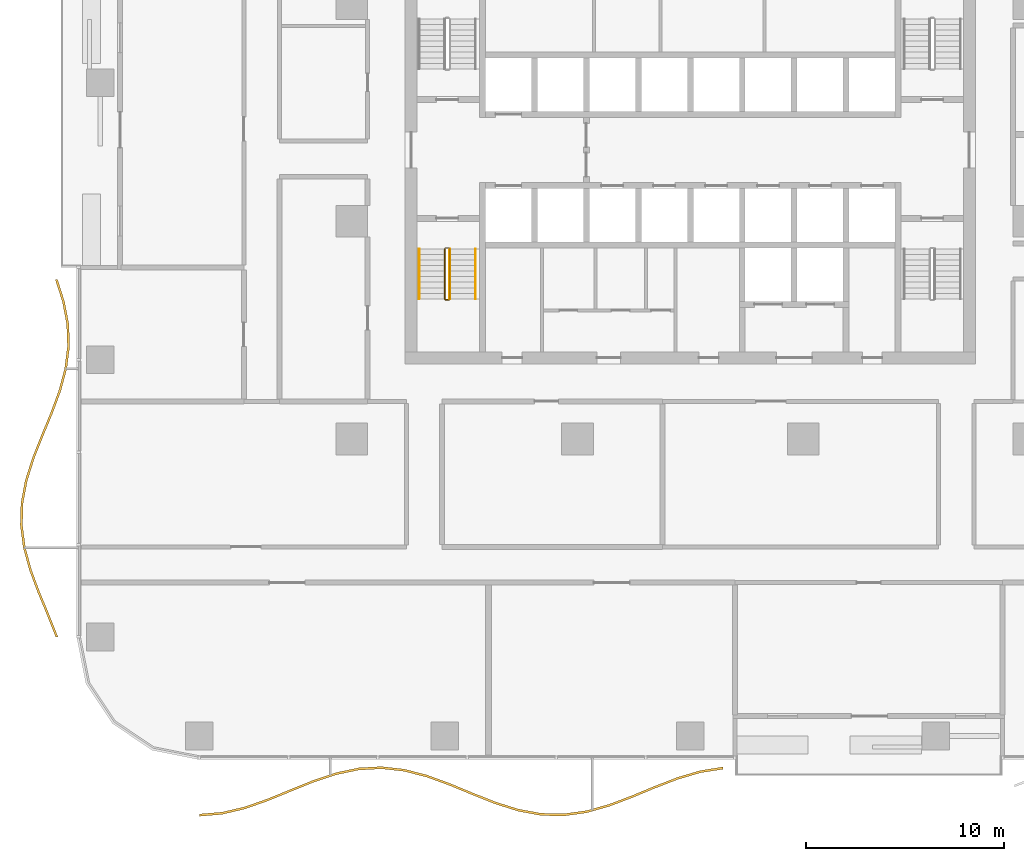
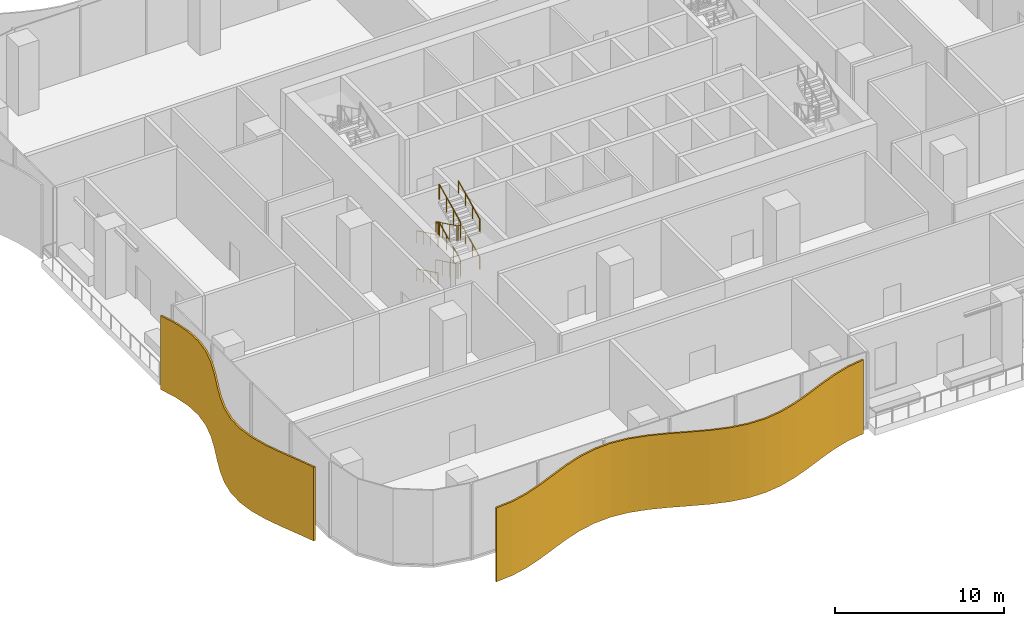
# One storey, part 14 of 20: 8 railings, 2 shading devices.
"""IFC4 building model written with IfcOpenShell, lengths in metres."""

from ifc_helpers import new_model, si_unit, direction, frame, origin, origin_2d, place, context, subcontext, project, spatial, polyline, circle, outline, extrude, material, layer, layer_set, type_object, element, save


model = new_model("IFC4")

# Units and contexts
model_context = context("Model", 3, precision=1e-05, world=origin(), true_north=direction((0.0, 1.0)))
body_context = subcontext(model_context, "Body", "Model", "MODEL_VIEW")
ifc_project = project(units=[si_unit("LENGTHUNIT", "METRE"), si_unit("AREAUNIT", "SQUARE_METRE"), si_unit("VOLUMEUNIT", "CUBIC_METRE"), si_unit("PLANEANGLEUNIT", "RADIAN"), si_unit("MASSUNIT", "GRAM", prefix="KILO")], contexts=[model_context])

# Site, building, storey
site_placement = place(None, origin())
site = spatial("IfcSite", under=ifc_project, at=site_placement, CompositionType="ELEMENT")
building_placement = place(site_placement, origin())
building = spatial("IfcBuilding", under=site, at=building_placement, Name="Mopane Tessera Tower", CompositionType="ELEMENT")
storey_placement = place(building_placement, frame((0.0, 0.0, 14.5)))
storey = spatial("IfcBuildingStorey", under=building, at=storey_placement, Name="L02", CompositionType="ELEMENT", Elevation=14.5)

# Railings
ifc_material_1 = material(Name="Powder-coated steel balustrade", Category="steel")
railing_type_1 = type_object("IfcRailingType", Name="Escape stair guard 1100 mm", PredefinedType="GUARDRAIL", material=ifc_material_1)
railing_1_placement = place(storey_placement, frame((-12.39990234375, -1.39990234375, 0.137451171875)))
element("IfcRailing", 1, at=railing_1_placement, inside=storey, type_object=railing_type_1, Name="L02 ST1 stair guard 1", PredefinedType="GUARDRAIL", context=body_context, shape_type="SweptSolid", body=[
    extrude(circle(Radius=0.02392578125, at=origin_2d()), frame((0.0, 0.0, 1.076171875), z_axis=(0.0, -0.897604431175, 0.440801866075), x_axis=(1.0, 0.0, 0.0)), (0.0, 0.0, 1.0), 2.807373046875),
    extrude(circle(Radius=0.02392578125, at=origin_2d()), frame((0.0, -2.52001953125, 2.3134765625), z_axis=(0.705375805398, -0.708833529934, 0.0), x_axis=(0.708833529934, 0.705375805398, 0.0)), (0.0, 0.0, 1.0), 0.070556640625),
    extrude(circle(Radius=0.02392578125, at=origin_2d()), frame((0.0498046875, -2.570068359375, 2.3134765625), z_axis=(1.0, 0.0, 0.0), x_axis=(0.0, 1.0, 0.0)), (0.0, 0.0, 1.0), 0.150146484375),
    extrude(circle(Radius=0.02099609375, at=origin_2d()), origin(), (0.0, 0.0, 1.0), 1.052001953125),
    extrude(circle(Radius=0.02099609375, at=origin_2d()), frame((0.0, -0.840087890625, 0.41259765625)), (0.0, 0.0, 1.0), 1.052001953125),
    extrude(circle(Radius=0.02099609375, at=origin_2d()), frame((0.0, -1.679931640625, 0.824951171875)), (0.0, 0.0, 1.0), 1.052001953125),
    extrude(circle(Radius=0.02099609375, at=origin_2d()), frame((0.0, -2.52001953125, 1.237548828125)), (0.0, 0.0, 1.0), 1.052001953125),
    extrude(circle(Radius=0.02099609375, at=origin_2d()), frame((0.0498046875, -2.570068359375, 1.237548828125)), (0.0, 0.0, 1.0), 1.052001953125),
    extrude(circle(Radius=0.02099609375, at=origin_2d()), frame((0.199951171875, -2.570068359375, 1.237548828125)), (0.0, 0.0, 1.0), 1.052001953125),
])
railing_2_placement = place(storey_placement, frame((-12.14990234375, -3.919921875, 1.512451171875)))
element("IfcRailing", 2, at=railing_2_placement, inside=storey, type_object=railing_type_1, Name="L02 ST1 stair guard 2", PredefinedType="GUARDRAIL", context=body_context, shape_type="SweptSolid", body=[
    extrude(circle(Radius=0.02392578125, at=origin_2d()), frame((0.0, 0.0, 1.076171875), z_axis=(0.0, 0.897604431175, 0.440801866075), x_axis=(-1.0, 0.0, 0.0)), (0.0, 0.0, 1.0), 2.807373046875),
    extrude(circle(Radius=0.02392578125, at=origin_2d()), frame((0.0, 2.52001953125, 2.3134765625), z_axis=(-0.708833529934, 0.705375805398, 0.0), x_axis=(-0.705375805398, -0.708833529934, 0.0)), (0.0, 0.0, 1.0), 0.070556640625),
    extrude(circle(Radius=0.02392578125, at=origin_2d()), frame((-0.050048828125, 2.56982421875, 2.3134765625), z_axis=(-1.0, 0.0, 0.0), x_axis=(0.0, -1.0, 0.0)), (0.0, 0.0, 1.0), 0.150146484375),
    extrude(circle(Radius=0.02099609375, at=origin_2d()), origin(), (0.0, 0.0, 1.0), 1.052001953125),
    extrude(circle(Radius=0.02099609375, at=origin_2d()), frame((0.0, 0.840087890625, 0.41259765625)), (0.0, 0.0, 1.0), 1.052001953125),
    extrude(circle(Radius=0.02099609375, at=origin_2d()), frame((0.0, 1.679931640625, 0.824951171875)), (0.0, 0.0, 1.0), 1.052001953125),
    extrude(circle(Radius=0.02099609375, at=origin_2d()), frame((0.0, 2.52001953125, 1.237548828125)), (0.0, 0.0, 1.0), 1.052001953125),
    extrude(circle(Radius=0.02099609375, at=origin_2d()), frame((-0.050048828125, 2.56982421875, 1.237548828125)), (0.0, 0.0, 1.0), 1.052001953125),
    extrude(circle(Radius=0.02099609375, at=origin_2d()), frame((-0.2001953125, 2.56982421875, 1.237548828125)), (0.0, 0.0, 1.0), 1.052001953125),
])
railing_3_placement = place(storey_placement, frame((-12.39990234375, -1.39990234375, 2.887451171875)))
element("IfcRailing", 3, at=railing_3_placement, inside=storey, type_object=railing_type_1, Name="L02 ST1 stair guard 3", PredefinedType="GUARDRAIL", context=body_context, shape_type="SweptSolid", body=[
    extrude(circle(Radius=0.02392578125, at=origin_2d()), frame((0.0, 0.0, 1.076171875), z_axis=(0.0, -0.897604431175, 0.440801866075), x_axis=(1.0, 0.0, 0.0)), (0.0, 0.0, 1.0), 2.807373046875),
    extrude(circle(Radius=0.02392578125, at=origin_2d()), frame((0.0, -2.52001953125, 2.3134765625), z_axis=(0.705375805398, -0.708833529934, 0.0), x_axis=(0.708833529934, 0.705375805398, 0.0)), (0.0, 0.0, 1.0), 0.070556640625),
    extrude(circle(Radius=0.02392578125, at=origin_2d()), frame((0.0498046875, -2.570068359375, 2.3134765625), z_axis=(1.0, 0.0, 0.0), x_axis=(0.0, 1.0, 0.0)), (0.0, 0.0, 1.0), 0.150146484375),
    extrude(circle(Radius=0.02099609375, at=origin_2d()), origin(), (0.0, 0.0, 1.0), 1.052001953125),
    extrude(circle(Radius=0.02099609375, at=origin_2d()), frame((0.0, -0.840087890625, 0.41259765625)), (0.0, 0.0, 1.0), 1.052001953125),
    extrude(circle(Radius=0.02099609375, at=origin_2d()), frame((0.0, -1.679931640625, 0.824951171875)), (0.0, 0.0, 1.0), 1.052001953125),
    extrude(circle(Radius=0.02099609375, at=origin_2d()), frame((0.0, -2.52001953125, 1.237548828125)), (0.0, 0.0, 1.0), 1.052001953125),
    extrude(circle(Radius=0.02099609375, at=origin_2d()), frame((0.0498046875, -2.570068359375, 1.237548828125)), (0.0, 0.0, 1.0), 1.052001953125),
    extrude(circle(Radius=0.02099609375, at=origin_2d()), frame((0.199951171875, -2.570068359375, 1.237548828125)), (0.0, 0.0, 1.0), 1.052001953125),
])
railing_4_placement = place(storey_placement, frame((-12.14990234375, -3.919921875, 4.262451171875)))
element("IfcRailing", 4, at=railing_4_placement, inside=storey, type_object=railing_type_1, Name="L02 ST1 stair guard 4", PredefinedType="GUARDRAIL", context=body_context, shape_type="SweptSolid", body=[
    extrude(circle(Radius=0.02392578125, at=origin_2d()), frame((0.0, 0.0, 1.076171875), z_axis=(0.0, 0.897604431175, 0.440801866075), x_axis=(-1.0, 0.0, 0.0)), (0.0, 0.0, 1.0), 2.807373046875),
    extrude(circle(Radius=0.02099609375, at=origin_2d()), origin(), (0.0, 0.0, 1.0), 1.052001953125),
    extrude(circle(Radius=0.02099609375, at=origin_2d()), frame((0.0, 0.840087890625, 0.41259765625)), (0.0, 0.0, 1.0), 1.052001953125),
    extrude(circle(Radius=0.02099609375, at=origin_2d()), frame((0.0, 1.679931640625, 0.824951171875)), (0.0, 0.0, 1.0), 1.052001953125),
    extrude(circle(Radius=0.02099609375, at=origin_2d()), frame((0.0, 2.52001953125, 1.237548828125)), (0.0, 0.0, 1.0), 1.052001953125),
])
ifc_material_2 = material(Name="Powder-coated steel balustrade", Category="steel")
railing_type_2 = type_object("IfcRailingType", Name="Escape stair handrail 900 mm", PredefinedType="HANDRAIL", material=ifc_material_2)
railing_5_placement = place(storey_placement, frame((-13.699951171875, -1.39990234375, 0.137451171875)))
element("IfcRailing", 5, at=railing_5_placement, inside=storey, type_object=railing_type_2, Name="L02 ST1 stair handrail 1", PredefinedType="HANDRAIL", context=body_context, shape_type="SweptSolid", body=[
    extrude(circle(Radius=0.02392578125, at=origin_2d()), frame((0.0, 0.0, 0.8759765625), z_axis=(0.0, -0.897604431175, 0.440801866075), x_axis=(1.0, 0.0, 0.0)), (0.0, 0.0, 1.0), 2.807373046875),
    extrude(circle(Radius=0.02099609375, at=origin_2d()), origin(), (0.0, 0.0, 1.0), 0.851806640625),
    extrude(circle(Radius=0.02099609375, at=origin_2d()), frame((0.0, -0.840087890625, 0.41259765625)), (0.0, 0.0, 1.0), 0.851806640625),
    extrude(circle(Radius=0.02099609375, at=origin_2d()), frame((0.0, -1.679931640625, 0.824951171875)), (0.0, 0.0, 1.0), 0.851806640625),
    extrude(circle(Radius=0.02099609375, at=origin_2d()), frame((0.0, -2.52001953125, 1.237548828125)), (0.0, 0.0, 1.0), 0.851806640625),
])
railing_6_placement = place(storey_placement, frame((-10.85009765625, -3.919921875, 1.512451171875)))
element("IfcRailing", 6, at=railing_6_placement, inside=storey, type_object=railing_type_2, Name="L02 ST1 stair handrail 2", PredefinedType="HANDRAIL", context=body_context, shape_type="SweptSolid", body=[
    extrude(circle(Radius=0.02392578125, at=origin_2d()), frame((0.0, 0.0, 0.8759765625), z_axis=(0.0, 0.897604431175, 0.440801866075), x_axis=(-1.0, 0.0, 0.0)), (0.0, 0.0, 1.0), 2.807373046875),
    extrude(circle(Radius=0.02099609375, at=origin_2d()), origin(), (0.0, 0.0, 1.0), 0.851806640625),
    extrude(circle(Radius=0.02099609375, at=origin_2d()), frame((0.0, 0.840087890625, 0.41259765625)), (0.0, 0.0, 1.0), 0.851806640625),
    extrude(circle(Radius=0.02099609375, at=origin_2d()), frame((0.0, 1.679931640625, 0.824951171875)), (0.0, 0.0, 1.0), 0.851806640625),
    extrude(circle(Radius=0.02099609375, at=origin_2d()), frame((0.0, 2.52001953125, 1.237548828125)), (0.0, 0.0, 1.0), 0.851806640625),
])
railing_7_placement = place(storey_placement, frame((-13.699951171875, -1.39990234375, 2.887451171875)))
element("IfcRailing", 7, at=railing_7_placement, inside=storey, type_object=railing_type_2, Name="L02 ST1 stair handrail 3", PredefinedType="HANDRAIL", context=body_context, shape_type="SweptSolid", body=[
    extrude(circle(Radius=0.02392578125, at=origin_2d()), frame((0.0, 0.0, 0.8759765625), z_axis=(0.0, -0.897604431175, 0.440801866075), x_axis=(1.0, 0.0, 0.0)), (0.0, 0.0, 1.0), 2.807373046875),
    extrude(circle(Radius=0.02099609375, at=origin_2d()), origin(), (0.0, 0.0, 1.0), 0.851806640625),
    extrude(circle(Radius=0.02099609375, at=origin_2d()), frame((0.0, -0.840087890625, 0.41259765625)), (0.0, 0.0, 1.0), 0.851806640625),
    extrude(circle(Radius=0.02099609375, at=origin_2d()), frame((0.0, -1.679931640625, 0.824951171875)), (0.0, 0.0, 1.0), 0.851806640625),
    extrude(circle(Radius=0.02099609375, at=origin_2d()), frame((0.0, -2.52001953125, 1.237548828125)), (0.0, 0.0, 1.0), 0.851806640625),
])
railing_8_placement = place(storey_placement, frame((-10.85009765625, -3.919921875, 4.262451171875)))
element("IfcRailing", 8, at=railing_8_placement, inside=storey, type_object=railing_type_2, Name="L02 ST1 stair handrail 4", PredefinedType="HANDRAIL", context=body_context, shape_type="SweptSolid", body=[
    extrude(circle(Radius=0.02392578125, at=origin_2d()), frame((0.0, 0.0, 0.8759765625), z_axis=(0.0, 0.897604431175, 0.440801866075), x_axis=(-1.0, 0.0, 0.0)), (0.0, 0.0, 1.0), 2.807373046875),
    extrude(circle(Radius=0.02099609375, at=origin_2d()), origin(), (0.0, 0.0, 1.0), 0.851806640625),
    extrude(circle(Radius=0.02099609375, at=origin_2d()), frame((0.0, 0.840087890625, 0.41259765625)), (0.0, 0.0, 1.0), 0.851806640625),
    extrude(circle(Radius=0.02099609375, at=origin_2d()), frame((0.0, 1.679931640625, 0.824951171875)), (0.0, 0.0, 1.0), 0.851806640625),
    extrude(circle(Radius=0.02099609375, at=origin_2d()), frame((0.0, 2.52001953125, 1.237548828125)), (0.0, 0.0, 1.0), 0.851806640625),
])

# Shading devices
ifc_material_3 = material(Name="Anodised aluminium louvre blades", Category="aluminium")
ifc_layer = layer(ifc_material_3, 0.1201171875)
ifc_layer_set = layer_set([ifc_layer], Name="Anodised aluminium louvre blades")
shading_device_type = type_object("IfcShadingDeviceType", Name="Wave louvre screen", PredefinedType="JALOUSIE", material=ifc_layer_set)
shading_device_1_placement = place(storey_placement, frame((0.0, 0.0, -0.340087890625)))
element("IfcShadingDevice", 9, at=shading_device_1_placement, inside=storey, type_object=shading_device_type, Name="e:lv:L02:S:0", PredefinedType="JALOUSIE", context=body_context, shape_type="SweptSolid", body=[
    extrude(outline(polyline([(-24.800048828125, -29.93994140625), (-23.64990234375, -29.844482421875), (-22.49951171875, -29.573486328125), (-21.349365234375, -29.169921875), (-20.19921875, -28.69775390625), (-19.049072265625, -28.232421875), (-17.89892578125, -27.847900390625), (-16.74853515625, -27.605224609375), (-15.598388671875, -27.54296875), (-14.4482421875, -27.671142578125), (-13.298095703125, -27.96923828125), (-12.147705078125, -28.39013671875), (-10.99755859375, -28.866455078125), (-9.847412109375, -29.32275390625), (-8.697265625, -29.686279296875), (-7.547119140625, -29.8994140625), (-6.396728515625, -29.92822265625), (-5.24658203125, -29.767822265625), (-4.096435546875, -29.444091796875), (-2.9462890625, -29.00830078125), (-1.796142578125, -28.530029296875), (-0.645751953125, -28.0849609375), (0.50439453125, -27.744140625), (1.654541015625, -27.561767578125), (1.654541015625, -27.681640625), (0.50439453125, -27.8642578125), (-0.645751953125, -28.205078125), (-1.796142578125, -28.64990234375), (-2.9462890625, -29.12841796875), (-4.096435546875, -29.564208984375), (-5.24658203125, -29.887939453125), (-6.396728515625, -30.048095703125), (-7.547119140625, -30.01953125), (-8.697265625, -29.806396484375), (-9.847412109375, -29.442626953125), (-10.99755859375, -28.986328125), (-12.147705078125, -28.510009765625), (-13.298095703125, -28.08935546875), (-14.4482421875, -27.791015625), (-15.598388671875, -27.6630859375), (-16.74853515625, -27.72509765625), (-17.89892578125, -27.9677734375), (-19.049072265625, -28.3525390625), (-20.19921875, -28.81787109375), (-21.349365234375, -29.289794921875), (-22.49951171875, -29.693359375), (-23.64990234375, -29.964599609375), (-24.800048828125, -30.06005859375), (-24.800048828125, -29.93994140625)])), origin(), (0.0, 0.0, 1.0), 5.340087890625),
])
shading_device_2_placement = place(storey_placement, frame((0.0, 0.0, -0.340087890625)))
element("IfcShadingDevice", 10, at=shading_device_2_placement, inside=storey, type_object=shading_device_type, Name="e:lv:L02:W:1", PredefinedType="JALOUSIE", context=body_context, shape_type="SweptSolid", body=[
    extrude(outline(polyline([(-31.96435546875, -2.933349609375), (-31.604248046875, -4.0625), (-31.387451171875, -5.191650390625), (-31.347412109375, -6.32080078125), (-31.490478515625, -7.449951171875), (-31.79443359375, -8.5791015625), (-32.212646484375, -9.708251953125), (-32.68115234375, -10.83740234375), (-33.1279296875, -11.966552734375), (-33.484619140625, -13.095947265625), (-33.6962890625, -14.22509765625), (-33.73095703125, -15.354248046875), (-33.582763671875, -16.4833984375), (-33.274658203125, -17.612548828125), (-32.85400390625, -18.74169921875), (-32.385009765625, -19.870849609375), (-31.93994140625, -21.0), (-32.06005859375, -21.0), (-32.505126953125, -19.870849609375), (-32.973876953125, -18.74169921875), (-33.394775390625, -17.612548828125), (-33.70263671875, -16.4833984375), (-33.850830078125, -15.354248046875), (-33.81640625, -14.22509765625), (-33.6044921875, -13.095947265625), (-33.247802734375, -11.966552734375), (-32.801025390625, -10.83740234375), (-32.33251953125, -9.708251953125), (-31.914306640625, -8.5791015625), (-31.6103515625, -7.449951171875), (-31.467529296875, -6.32080078125), (-31.507568359375, -5.191650390625), (-31.72412109375, -4.0625), (-32.084228515625, -2.933349609375), (-31.96435546875, -2.933349609375)])), origin(), (0.0, 0.0, 1.0), 5.340087890625),
])

save(model, "model.ifc")
